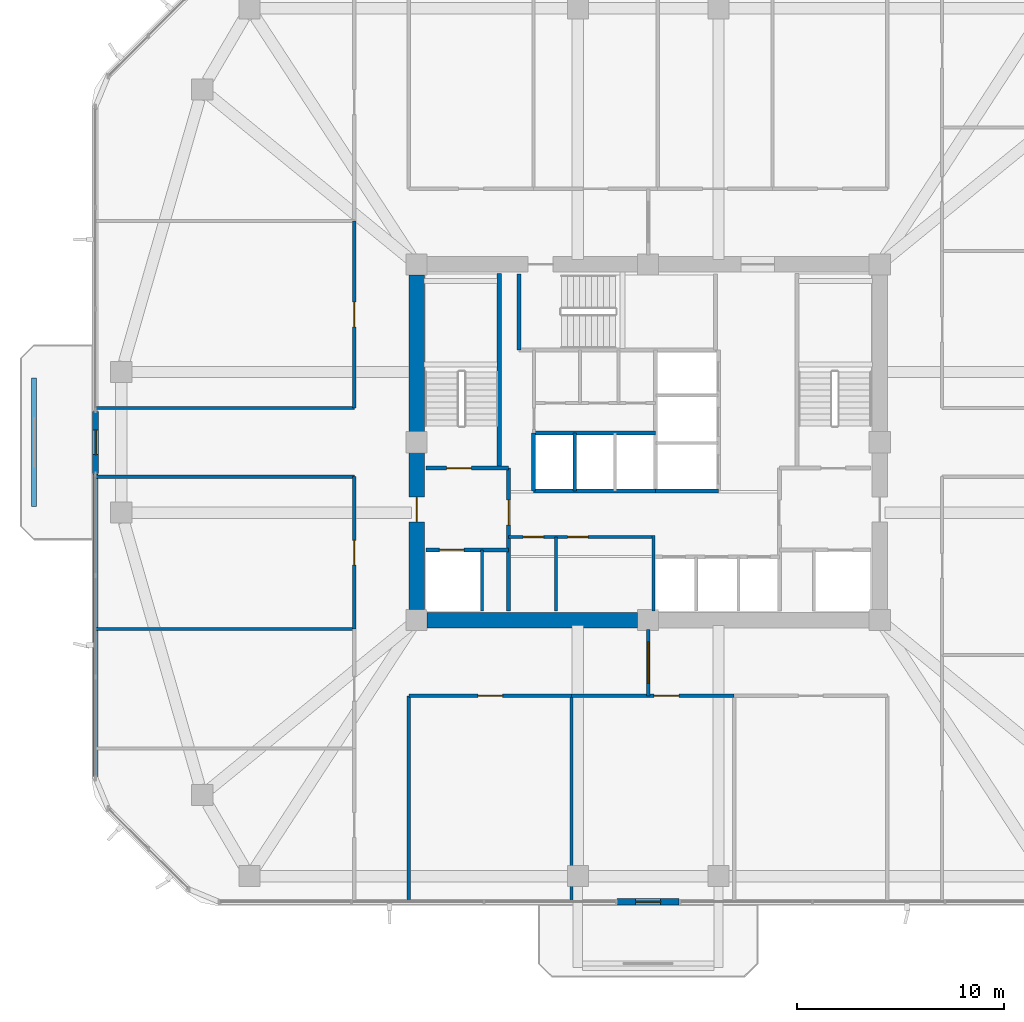
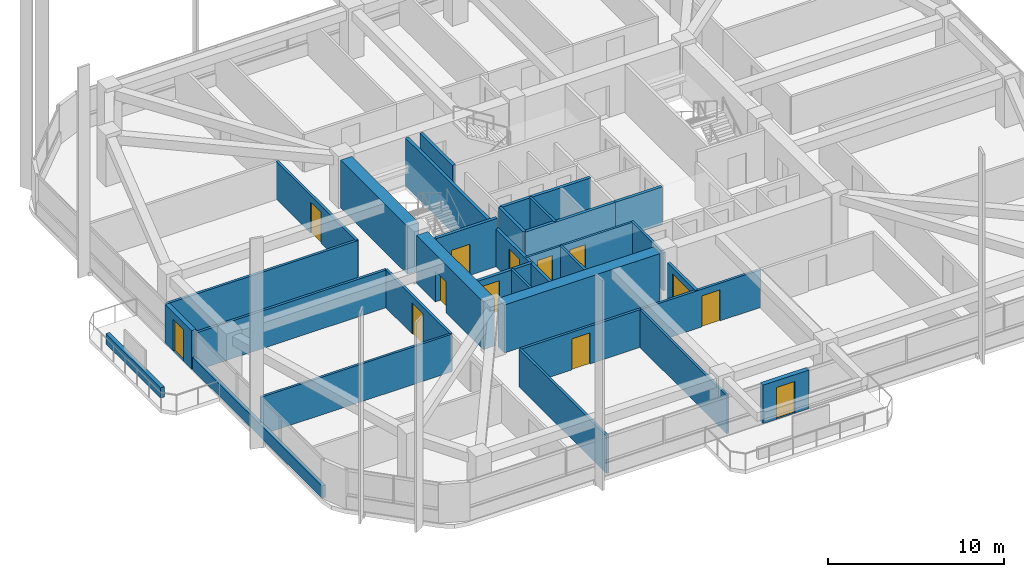
# One storey, part 8 of 15: 31 walls, 13 doors, 13 openings.
"""IFC4 building model written with IfcOpenShell, lengths in metres."""

from ifc_helpers import new_model, si_unit, derived_unit, direction, frame, frame_2d, origin, place, context, subcontext, project, spatial, rectangle, extrude, material, layer, layer_set, type_object, element, fill, save


model = new_model("IFC4")

# Units and contexts
model_context = context("Model", 3, precision=1e-05, world=origin(), true_north=direction((0.0, 1.0)))
body_context = subcontext(model_context, "Body", "Model", "MODEL_VIEW")
ifc_project = project(units=[si_unit("LENGTHUNIT", "METRE"), si_unit("AREAUNIT", "SQUARE_METRE"), si_unit("VOLUMEUNIT", "CUBIC_METRE"), si_unit("PLANEANGLEUNIT", "RADIAN"), si_unit("MASSUNIT", "GRAM", prefix="KILO"), derived_unit("THERMALTRANSMITTANCEUNIT", [(si_unit("POWERUNIT", "WATT"), 1), (si_unit("LENGTHUNIT", "METRE"), -2), (si_unit("THERMODYNAMICTEMPERATUREUNIT", "KELVIN"), -1)])], contexts=[model_context])

# Site, building, storey
site_placement = place(None, origin())
site = spatial("IfcSite", under=ifc_project, at=site_placement, CompositionType="ELEMENT")
building_placement = place(site_placement, origin())
building = spatial("IfcBuilding", under=site, at=building_placement, Name="Koralith Skygarden Medical Center", CompositionType="ELEMENT")
storey_placement = place(building_placement, frame((0.0, 0.0, 84.780029296875)))
storey = spatial("IfcBuildingStorey", under=building, at=storey_placement, Name="L21", CompositionType="ELEMENT", Elevation=84.780029296875)

# Wall, openings, doors
ifc_material_1 = material(Name="Gypsum Board Partition")
ifc_layer_1 = layer(ifc_material_1, 0.14990234375)
ifc_layer_set_1 = layer_set([ifc_layer_1], Name="Gypsum Board Partition")
wall_type_1 = type_object("IfcWallType", Name="Clinical Acoustic Partition 150", PredefinedType="PARTITIONING", material=ifc_layer_set_1)
wall_1_placement = place(storey_placement, frame((30.25, 21.320068359375, 0.0), z_axis=(0.0, 0.0, 1.0), x_axis=(1.0, 0.0, 0.0)))
wall_1 = element("IfcWall", 1, at=wall_1_placement, inside=storey, type_object=wall_type_1, Name="L21 Clinical Acoustic Partition 150 W-CORE-L21-FREED-LR-N", PredefinedType="PARTITIONING", context=body_context, shape_type="SweptSolid", body=[
    extrude(rectangle(XDim=7.0, YDim=0.14990234375, at=frame_2d((3.5, 0.0))), origin(), (0.0, 0.0, 1.0), 2.60986328125),
])
opening_1_placement = place(wall_1_placement, frame((0.699951171875, 0.0, 0.0)))
opening_1 = element("IfcOpeningElement", 2, at=opening_1_placement, cuts=wall_1, Name="Opening D-SUP", PredefinedType="OPENING", context=body_context, shape_type="SweptSolid", body=[
    extrude(rectangle(XDim=1.0, YDim=2.14990234375, at=frame_2d((0.5, 1.074951171875))), frame((0.0, 0.0849609375, 0.0), z_axis=(0.0, -1.0, 0.0), x_axis=(1.0, 0.0, 0.0)), (0.0, 0.0, 1.0), 0.169921875),
])
opening_2_placement = place(wall_1_placement, frame((2.85009765625, 0.0, 0.0)))
opening_2 = element("IfcOpeningElement", 3, at=opening_2_placement, cuts=wall_1, Name="Opening D-SUP", PredefinedType="OPENING", context=body_context, shape_type="SweptSolid", body=[
    extrude(rectangle(XDim=1.0, YDim=2.14990234375, at=frame_2d((0.5, 1.074951171875))), frame((0.0, 0.0849609375, 0.0), z_axis=(0.0, -1.0, 0.0), x_axis=(1.0, 0.0, 0.0)), (0.0, 0.0, 1.0), 0.169921875),
])
ifc_material_2 = material(Name="Aluminium 6063-T6", Category="aluminium")
door_type_1 = type_object("IfcDoorType", Name="Clinical Support Door D-SUP 1000", OperationType="NOTDEFINED", PredefinedType="DOOR", material=ifc_material_2)
door_1_placement = place(opening_1_placement, frame((1.0, 0.0, 0.0), z_axis=(0.0, 0.0, 1.0), x_axis=(-1.0, 0.0, 0.0)))
door_1 = element("IfcDoor", 4, at=door_1_placement, inside=storey, type_object=door_type_1, Name="L21 Medication Preparation Door", OperationType="SINGLE_SWING_LEFT", OverallHeight=2.14990234375, OverallWidth=1.0, PredefinedType="DOOR", context=body_context, shape_type="SweptSolid", body=[
    extrude(rectangle(XDim=1.0, YDim=2.14990234375, at=frame_2d((0.5, 1.074951171875))), frame((0.0, 0.02490234375, 0.0), z_axis=(0.0, -1.0, 0.0), x_axis=(1.0, 0.0, 0.0)), (0.0, 0.0, 1.0), 0.050048828125),
])
fill(opening_1, door_1)
door_2_placement = place(opening_2_placement, frame((1.0, 0.0, 0.0), z_axis=(0.0, 0.0, 1.0), x_axis=(-1.0, 0.0, 0.0)))
door_2 = element("IfcDoor", 5, at=door_2_placement, inside=storey, type_object=door_type_1, Name="L21 Telemetry Room Door", OperationType="SINGLE_SWING_RIGHT", OverallHeight=2.14990234375, OverallWidth=1.0, PredefinedType="DOOR", context=body_context, shape_type="SweptSolid", body=[
    extrude(rectangle(XDim=1.0, YDim=2.14990234375, at=frame_2d((0.5, 1.074951171875))), frame((0.0, 0.02490234375, 0.0), z_axis=(0.0, -1.0, 0.0), x_axis=(1.0, 0.0, 0.0)), (0.0, 0.0, 1.0), 0.050048828125),
])
fill(opening_2, door_2)

# Walls
wall_2_placement = place(storey_placement, frame((32.550048828125, 17.75, 0.0), z_axis=(0.0, 0.0, 1.0), x_axis=(0.0, 1.0, 0.0)))
element("IfcWall", 6, at=wall_2_placement, inside=storey, type_object=wall_type_1, Name="L21 Clinical Acoustic Partition 150 W-CORE-L21-FREED-LR-M", PredefinedType="PARTITIONING", context=body_context, shape_type="SweptSolid", body=[
    extrude(rectangle(XDim=3.570068359375, YDim=0.14990234375, at=frame_2d((1.78515625, 0.0))), origin(), (0.0, 0.0, 1.0), 2.60986328125),
])
wall_3_placement = place(storey_placement, frame((33.301025390625, 13.639892578125, 0.0), z_axis=(0.0, 0.0, 1.0), x_axis=(0.0, -1.0, 0.0)))
element("IfcWall", 7, at=wall_3_placement, inside=storey, type_object=wall_type_1, Name="L21 Clinical Acoustic Partition 150 W-PART-L21-S-01", PredefinedType="PARTITIONING", context=body_context, shape_type="SweptSolid", body=[
    extrude(rectangle(XDim=9.93994140625, YDim=0.14990234375, at=frame_2d((4.969970703125, 0.0))), origin(), (0.0, 0.0, 1.0), 2.60986328125),
])
wall_4_placement = place(storey_placement, frame((22.7900390625, 16.8779296875, 0.0), z_axis=(0.0, 0.0, 1.0), x_axis=(-1.0, 0.0, 0.0)))
element("IfcWall", 8, at=wall_4_placement, inside=storey, type_object=wall_type_1, Name="L21 Clinical Acoustic Partition 150 W-PART-L21-WS-02", PredefinedType="PARTITIONING", context=body_context, shape_type="SweptSolid", body=[
    extrude(rectangle(XDim=12.489990234375, YDim=0.14990234375, at=frame_2d((6.2451171875, 0.0))), origin(), (0.0, 0.0, 1.0), 2.60986328125),
])
ifc_layer_2 = layer(ifc_material_1, 0.1650390625)
ifc_layer_set_2 = layer_set([ifc_layer_2], Name="Gypsum Board Partition")
wall_type_2 = type_object("IfcWallType", Name="Clinical Corridor Partition 165", PredefinedType="PARTITIONING", material=ifc_layer_set_2)
wall_5_placement = place(storey_placement, frame((25.429931640625, 3.699951171875, 0.0), z_axis=(0.0, 0.0, 1.0), x_axis=(0.0, 1.0, 0.0)))
element("IfcWall", 9, at=wall_5_placement, inside=storey, type_object=wall_type_2, Name="L21 Clinical Corridor Partition 165 W-HCOR-L21-SW", PredefinedType="PARTITIONING", context=body_context, shape_type="SweptSolid", body=[
    extrude(rectangle(XDim=9.93994140625, YDim=0.1650390625, at=frame_2d((4.969970703125, 0.0))), origin(), (0.0, 0.0, 1.0), 2.60986328125),
])
for number, where, z_axis, x_axis, name in (
    (10, (10.300048828125, 24.239990234375, 0.0), (0.0, 0.0, 1.0), (1.0, 0.0, 0.0), "L21 Clinical Corridor Partition 165 W-HCOR-L21-EWS-W"),
    (11, (10.300048828125, 27.56005859375, 0.0), (0.0, 0.0, 1.0), (1.0, 0.0, 0.0), "L21 Clinical Corridor Partition 165 W-HCOR-L21-EWN-W"),
):
    element("IfcWall", number, at=place(storey_placement, frame(where, z_axis=z_axis, x_axis=x_axis)), inside=storey, type_object=wall_type_2, Name=name, PredefinedType="PARTITIONING", context=body_context, shape_type="SweptSolid", body=[
        extrude(rectangle(XDim=12.489990234375, YDim=0.1650390625, at=frame_2d((6.2451171875, 0.0))), origin(), (0.0, 0.0, 1.0), 2.60986328125),
    ])

# Wall, opening, door
wall_6_placement = place(storey_placement, frame((25.429931640625, 13.639892578125, 0.0), z_axis=(0.0, 0.0, 1.0), x_axis=(1.0, 0.0, 0.0)))
wall_6 = element("IfcWall", 12, at=wall_6_placement, inside=storey, type_object=wall_type_2, Name="L21 Clinical Corridor Partition 165 W-CORR-L21-S-01", PredefinedType="PARTITIONING", context=body_context, shape_type="SweptSolid", body=[
    extrude(rectangle(XDim=7.87109375, YDim=0.1650390625, at=frame_2d((3.935546875, 0.0))), origin(), (0.0, 0.0, 1.0), 2.60986328125),
])
opening_3_placement = place(wall_6_placement, frame((3.3359375, 0.0, 0.0)))
opening_3 = element("IfcOpeningElement", 13, at=opening_3_placement, cuts=wall_6, Name="Opening D-CLN", PredefinedType="OPENING", context=body_context, shape_type="SweptSolid", body=[
    extrude(rectangle(XDim=1.199951171875, YDim=2.14990234375, at=frame_2d((0.60009765625, 1.074951171875))), frame((0.0, 0.092529296875, 0.0), z_axis=(0.0, -1.0, 0.0), x_axis=(1.0, 0.0, 0.0)), (0.0, 0.0, 1.0), 0.18505859375),
])
door_type_2 = type_object("IfcDoorType", Name="Clinical Corridor Door D-CLN 1200", OperationType="NOTDEFINED", PredefinedType="DOOR", material=ifc_material_2)
door_3_placement = place(opening_3_placement, frame((1.199951171875, 0.0, 0.0), z_axis=(0.0, 0.0, 1.0), x_axis=(-1.0, 0.0, 0.0)))
door_3 = element("IfcDoor", 14, at=door_3_placement, inside=storey, type_object=door_type_2, Name="L21 Physician Consultation Office 05 Door", OperationType="SINGLE_SWING_RIGHT", OverallHeight=2.14990234375, OverallWidth=1.199951171875, PredefinedType="DOOR", context=body_context, shape_type="SweptSolid", body=[
    extrude(rectangle(XDim=1.199951171875, YDim=2.14990234375, at=frame_2d((0.60009765625, 1.074951171875))), frame((0.0, 0.02490234375, 0.0), z_axis=(0.0, -1.0, 0.0), x_axis=(1.0, 0.0, 0.0)), (0.0, 0.0, 1.0), 0.050048828125),
])
fill(opening_3, door_3)

wall_7_placement = place(storey_placement, frame((33.301025390625, 13.639892578125, 0.0), z_axis=(0.0, 0.0, 1.0), x_axis=(1.0, 0.0, 0.0)))
wall_7 = element("IfcWall", 15, at=wall_7_placement, inside=storey, type_object=wall_type_2, Name="L21 Clinical Corridor Partition 165 W-CORR-L21-S-02", PredefinedType="PARTITIONING", context=body_context, shape_type="SweptSolid", body=[
    extrude(rectangle(XDim=7.861083984375, YDim=0.1650390625, at=frame_2d((3.9306640625, 0.0))), origin(), (0.0, 0.0, 1.0), 2.60986328125),
])
opening_4_placement = place(wall_7_placement, frame((3.98095703125, 0.0, 0.0)))
opening_4 = element("IfcOpeningElement", 16, at=opening_4_placement, cuts=wall_7, Name="Opening D-CLN", PredefinedType="OPENING", context=body_context, shape_type="SweptSolid", body=[
    extrude(rectangle(XDim=1.199951171875, YDim=2.14990234375, at=frame_2d((0.60009765625, 1.074951171875))), frame((0.0, 0.092529296875, 0.0), z_axis=(0.0, -1.0, 0.0), x_axis=(1.0, 0.0, 0.0)), (0.0, 0.0, 1.0), 0.18505859375),
])
door_4_placement = place(opening_4_placement, frame((1.199951171875, 0.0, 0.0), z_axis=(0.0, 0.0, 1.0), x_axis=(-1.0, 0.0, 0.0)))
door_4 = element("IfcDoor", 17, at=door_4_placement, inside=storey, type_object=door_type_2, Name="L21 Patient and Family Sky-Garden Day Lounge 06 Door", OperationType="SINGLE_SWING_LEFT", OverallHeight=2.14990234375, OverallWidth=1.199951171875, PredefinedType="DOOR", context=body_context, shape_type="SweptSolid", body=[
    extrude(rectangle(XDim=1.199951171875, YDim=2.14990234375, at=frame_2d((0.60009765625, 1.074951171875))), frame((0.0, 0.02490234375, 0.0), z_axis=(0.0, -1.0, 0.0), x_axis=(1.0, 0.0, 0.0)), (0.0, 0.0, 1.0), 0.050048828125),
])
fill(opening_4, door_4)

wall_8_placement = place(storey_placement, frame((22.7900390625, 16.8779296875, 0.0), z_axis=(0.0, 0.0, 1.0), x_axis=(0.0, 1.0, 0.0)))
wall_8 = element("IfcWall", 18, at=wall_8_placement, inside=storey, type_object=wall_type_2, Name="L21 Clinical Corridor Partition 165 W-CORR-L21-WS-03", PredefinedType="PARTITIONING", context=body_context, shape_type="SweptSolid", body=[
    extrude(rectangle(XDim=7.362060546875, YDim=0.1650390625, at=frame_2d((3.68115234375, 0.0))), origin(), (0.0, 0.0, 1.0), 2.60986328125),
])
opening_5_placement = place(wall_8_placement, frame((3.0810546875, 0.0, 0.0)))
opening_5 = element("IfcOpeningElement", 19, at=opening_5_placement, cuts=wall_8, Name="Opening D-CLN", PredefinedType="OPENING", context=body_context, shape_type="SweptSolid", body=[
    extrude(rectangle(XDim=1.199951171875, YDim=2.14990234375, at=frame_2d((0.60009765625, 1.074951171875))), frame((0.0, 0.092529296875, 0.0), z_axis=(0.0, -1.0, 0.0), x_axis=(1.0, 0.0, 0.0)), (0.0, 0.0, 1.0), 0.18505859375),
])
door_5_placement = place(opening_5_placement, frame((1.199951171875, 0.0, 0.0), z_axis=(0.0, 0.0, 1.0), x_axis=(-1.0, 0.0, 0.0)))
door_5 = element("IfcDoor", 20, at=door_5_placement, inside=storey, type_object=door_type_2, Name="L21 Physician Consultation Office 10 Door", OperationType="SINGLE_SWING_LEFT", OverallHeight=2.14990234375, OverallWidth=1.199951171875, PredefinedType="DOOR", context=body_context, shape_type="SweptSolid", body=[
    extrude(rectangle(XDim=1.199951171875, YDim=2.14990234375, at=frame_2d((0.60009765625, 1.074951171875))), frame((0.0, 0.02490234375, 0.0), z_axis=(0.0, -1.0, 0.0), x_axis=(1.0, 0.0, 0.0)), (0.0, 0.0, 1.0), 0.050048828125),
])
fill(opening_5, door_5)

wall_9_placement = place(storey_placement, frame((22.7900390625, 27.56005859375, 0.0), z_axis=(0.0, 0.0, 1.0), x_axis=(0.0, 1.0, 0.0)))
wall_9 = element("IfcWall", 21, at=wall_9_placement, inside=storey, type_object=wall_type_2, Name="L21 Clinical Corridor Partition 165 W-CORR-L21-WN-01", PredefinedType="PARTITIONING", context=body_context, shape_type="SweptSolid", body=[
    extrude(rectangle(XDim=9.037841796875, YDim=0.1650390625, at=frame_2d((4.51904296875, 0.0))), origin(), (0.0, 0.0, 1.0), 2.60986328125),
])
opening_6_placement = place(wall_9_placement, frame((3.9189453125, 0.0, 0.0)))
opening_6 = element("IfcOpeningElement", 22, at=opening_6_placement, cuts=wall_9, Name="Opening D-CLN", PredefinedType="OPENING", context=body_context, shape_type="SweptSolid", body=[
    extrude(rectangle(XDim=1.199951171875, YDim=2.14990234375, at=frame_2d((0.60009765625, 1.074951171875))), frame((0.0, 0.092529296875, 0.0), z_axis=(0.0, -1.0, 0.0), x_axis=(1.0, 0.0, 0.0)), (0.0, 0.0, 1.0), 0.18505859375),
])
door_6_placement = place(opening_6_placement, frame((1.199951171875, 0.0, 0.0), z_axis=(0.0, 0.0, 1.0), x_axis=(-1.0, 0.0, 0.0)))
door_6 = element("IfcDoor", 23, at=door_6_placement, inside=storey, type_object=door_type_2, Name="L21 Clinical Case Conference Room 11 Door", OperationType="SINGLE_SWING_RIGHT", OverallHeight=2.14990234375, OverallWidth=1.199951171875, PredefinedType="DOOR", context=body_context, shape_type="SweptSolid", body=[
    extrude(rectangle(XDim=1.199951171875, YDim=2.14990234375, at=frame_2d((0.60009765625, 1.074951171875))), frame((0.0, 0.02490234375, 0.0), z_axis=(0.0, -1.0, 0.0), x_axis=(1.0, 0.0, 0.0)), (0.0, 0.0, 1.0), 0.050048828125),
])
fill(opening_6, door_6)

ifc_layer_3 = layer(ifc_material_1, 0.199951171875)
ifc_layer_set_3 = layer_set([ifc_layer_3], Name="Gypsum Board Partition")
wall_type_3 = type_object("IfcWallType", Name="Fire Shaft Wall 200", PredefinedType="SOLIDWALL", material=ifc_layer_set_3)
wall_10_placement = place(storey_placement, frame((26.25, 20.699951171875, 0.0), z_axis=(0.0, 0.0, 1.0), x_axis=(1.0, 0.0, 0.0)))
wall_10 = element("IfcWall", 24, at=wall_10_placement, inside=storey, type_object=wall_type_3, Name="L21 Fire Shaft Wall 200 W-CORE-L21-FF1-N", PredefinedType="SOLIDWALL", context=body_context, shape_type="SweptSolid", body=[
    extrude(rectangle(XDim=4.0, YDim=0.199951171875, at=frame_2d((2.0, 0.0))), origin(), (0.0, 0.0, 1.0), 2.60986328125),
])
opening_7_placement = place(wall_10_placement, frame((0.64990234375, 0.0, 0.0)))
opening_7 = element("IfcOpeningElement", 25, at=opening_7_placement, cuts=wall_10, Name="Opening LD-FF", PredefinedType="OPENING", context=body_context, shape_type="SweptSolid", body=[
    extrude(rectangle(XDim=1.199951171875, YDim=2.14990234375, at=frame_2d((0.60009765625, 1.074951171875))), frame((0.0, 0.10986328125, 0.0), z_axis=(0.0, -1.0, 0.0), x_axis=(1.0, 0.0, 0.0)), (0.0, 0.0, 1.0), 0.219970703125),
])
ifc_material_3 = material(Name="Steel ASTM A500 Grade C", Category="steel")
door_type_3 = type_object("IfcDoorType", Name="Fire Lift Sliding Landing Door LD-FF 1200", OperationType="NOTDEFINED", PredefinedType="DOOR", material=ifc_material_3)
door_7_placement = place(opening_7_placement, origin())
door_7 = element("IfcDoor", 26, at=door_7_placement, inside=storey, type_object=door_type_3, Name="L21 Fire Service Elevator FF1 Landing Door", OperationType="SLIDING_TO_LEFT", OverallHeight=2.14990234375, OverallWidth=1.199951171875, PredefinedType="DOOR", context=body_context, shape_type="SweptSolid", body=[
    extrude(rectangle(XDim=1.199951171875, YDim=2.14990234375, at=frame_2d((0.60009765625, 1.074951171875))), frame((0.0, 0.02490234375, 0.0), z_axis=(0.0, -1.0, 0.0), x_axis=(1.0, 0.0, 0.0)), (0.0, 0.0, 1.0), 0.050048828125),
])
fill(opening_7, door_7)

wall_11_placement = place(storey_placement, frame((30.25, 17.75, 0.0), z_axis=(0.0, 0.0, 1.0), x_axis=(0.0, 1.0, 0.0)))
wall_11 = element("IfcWall", 27, at=wall_11_placement, inside=storey, type_object=wall_type_3, Name="L21 Fire Shaft Wall 200 W-CORE-L21-FSAEW-E", PredefinedType="SOLIDWALL", context=body_context, shape_type="SweptSolid", body=[
    extrude(rectangle(XDim=6.89990234375, YDim=0.199951171875, at=frame_2d((3.449951171875, 0.0))), origin(), (0.0, 0.0, 1.0), 2.60986328125),
])
opening_8_placement = place(wall_11_placement, frame((4.14990234375, 0.0, 0.0)))
opening_8 = element("IfcOpeningElement", 28, at=opening_8_placement, cuts=wall_11, Name="Opening D-ST60", PredefinedType="OPENING", context=body_context, shape_type="SweptSolid", body=[
    extrude(rectangle(XDim=1.199951171875, YDim=2.14990234375, at=frame_2d((0.60009765625, 1.074951171875))), frame((0.0, 0.10986328125, 0.0), z_axis=(0.0, -1.0, 0.0), x_axis=(1.0, 0.0, 0.0)), (0.0, 0.0, 1.0), 0.219970703125),
])
door_type_4 = type_object("IfcDoorType", Name="Smokeproof Stair Fire Door FD60S 1200", OperationType="NOTDEFINED", PredefinedType="DOOR", material=ifc_material_3)
door_8_placement = place(opening_8_placement, origin())
door_8 = element("IfcDoor", 29, at=door_8_placement, inside=storey, type_object=door_type_4, Name="L21 West Firefighting Lobby Inner Fire Door", OperationType="SINGLE_SWING_LEFT", OverallHeight=2.14990234375, OverallWidth=1.199951171875, PredefinedType="DOOR", context=body_context, shape_type="SweptSolid", body=[
    extrude(rectangle(XDim=1.199951171875, YDim=2.14990234375, at=frame_2d((0.60009765625, 1.074951171875))), frame((0.0, 0.02490234375, 0.0), z_axis=(0.0, -1.0, 0.0), x_axis=(1.0, 0.0, 0.0)), (0.0, 0.0, 1.0), 0.050048828125),
])
fill(opening_8, door_8)

# Walls
for number, where, z_axis, x_axis, name in (
    (30, (31.449951171875, 23.5400390625, 0.0), (0.0, 0.0, 1.0), (1.0, 0.0, 0.0), "L21 Fire Shaft Wall 200 W-CORE-L21-PH-S"),
    (31, (31.449951171875, 26.35009765625, 0.0), (0.0, 0.0, 1.0), (1.0, 0.0, 0.0), "L21 Fire Shaft Wall 200 W-CORE-L21-PH-N"),
):
    element("IfcWall", number, at=place(storey_placement, frame(where, z_axis=z_axis, x_axis=x_axis)), inside=storey, type_object=wall_type_3, Name=name, PredefinedType="SOLIDWALL", context=body_context, shape_type="SweptSolid", body=[
        extrude(rectangle(XDim=5.900146484375, YDim=0.199951171875, at=frame_2d((2.9501953125, 0.0))), origin(), (0.0, 0.0, 1.0), 2.60986328125),
    ])
wall_12_placement = place(storey_placement, frame((31.449951171875, 23.5400390625, 0.0), z_axis=(0.0, 0.0, 1.0), x_axis=(0.0, 1.0, 0.0)))
element("IfcWall", 32, at=wall_12_placement, inside=storey, type_object=wall_type_3, Name="L21 Fire Shaft Wall 200 W-CORE-L21-PH-W", PredefinedType="SOLIDWALL", context=body_context, shape_type="SweptSolid", body=[
    extrude(rectangle(XDim=2.81005859375, YDim=0.199951171875, at=frame_2d((1.405029296875, 0.0))), origin(), (0.0, 0.0, 1.0), 2.60986328125),
])
wall_13_placement = place(storey_placement, frame((37.35009765625, 23.5400390625, 0.0), z_axis=(0.0, 0.0, 1.0), x_axis=(1.0, 0.0, 0.0)))
element("IfcWall", 33, at=wall_13_placement, inside=storey, type_object=wall_type_3, Name="L21 Fire Shaft Wall 200 W-CORE-L21-SV-S", PredefinedType="SOLIDWALL", context=body_context, shape_type="SweptSolid", body=[
    extrude(rectangle(XDim=3.0498046875, YDim=0.199951171875, at=frame_2d((1.52490234375, 0.0))), origin(), (0.0, 0.0, 1.0), 2.60986328125),
])

# Wall, opening, door
ifc_layer_4 = layer(ifc_material_1, 0.179931640625)
ifc_layer_set_4 = layer_set([ifc_layer_4], Name="Gypsum Board Partition")
wall_type_4 = type_object("IfcWallType", Name="Group I-2 Smoke Barrier Wall 180", PredefinedType="PARTITIONING", material=ifc_layer_set_4)
wall_14_placement = place(storey_placement, frame((37.0, 13.639892578125, 0.0), z_axis=(0.0, 0.0, 1.0), x_axis=(0.0, 1.0, 0.0)))
wall_14 = element("IfcWall", 34, at=wall_14_placement, inside=storey, type_object=wall_type_4, Name="L21 Group I-2 Smoke Barrier Wall 180 W-SMK-L21-S", PredefinedType="PARTITIONING", context=body_context, shape_type="SweptSolid", body=[
    extrude(rectangle(XDim=3.210205078125, YDim=0.179931640625, at=frame_2d((1.60498046875, 0.0))), origin(), (0.0, 0.0, 1.0), 2.60986328125),
])
opening_9_placement = place(wall_14_placement, frame((0.60498046875, 0.0, 0.0)))
opening_9 = element("IfcOpeningElement", 35, at=opening_9_placement, cuts=wall_14, Name="Opening D-SMK", PredefinedType="OPENING", context=body_context, shape_type="SweptSolid", body=[
    extrude(rectangle(XDim=2.0, YDim=2.199951171875, at=frame_2d((1.0, 1.10009765625))), frame((0.0, 0.099853515625, 0.0), z_axis=(0.0, -1.0, 0.0), x_axis=(1.0, 0.0, 0.0)), (0.0, 0.0, 1.0), 0.199951171875),
])
door_type_5 = type_object("IfcDoorType", Name="Cross-Corridor Double Smoke Door FD60S 2000", OperationType="NOTDEFINED", PredefinedType="DOOR", material=ifc_material_3)
door_9_placement = place(opening_9_placement, frame((2.0, 0.0, 0.0), z_axis=(0.0, 0.0, 1.0), x_axis=(-1.0, 0.0, 0.0)))
door_9 = element("IfcDoor", 36, at=door_9_placement, inside=storey, type_object=door_type_5, Name="L21 S Smoke Compartment Cross-Corridor Door", OperationType="DOUBLE_DOOR_SINGLE_SWING", OverallHeight=2.199951171875, OverallWidth=2.0, PredefinedType="DOOR", context=body_context, shape_type="SweptSolid", body=[
    extrude(rectangle(XDim=2.0, YDim=2.199951171875, at=frame_2d((1.0, 1.10009765625))), frame((0.0, 0.02490234375, 0.0), z_axis=(0.0, -1.0, 0.0), x_axis=(1.0, 0.0, 0.0)), (0.0, 0.0, 1.0), 0.050048828125),
])
fill(opening_9, door_9)

# Walls
ifc_material_4 = material(Name="Warm Oolitic Limestone Cladding", Category="masonry")
ifc_layer_5 = layer(ifc_material_4, 0.239990234375)
ifc_layer_set_5 = layer_set([ifc_layer_5], Name="Warm Oolitic Limestone Cladding")
wall_type_5 = type_object("IfcWallType", Name="Limestone Spandrel Sill Backup Wall 240", PredefinedType="SOLIDWALL", material=ifc_layer_set_5)
wall_15_placement = place(storey_placement, frame((10.280029296875, 24.361083984375, 0.0), z_axis=(0.0, 0.0, 1.0), x_axis=(0.0, -1.0, 0.0)))
element("IfcWall", 37, at=wall_15_placement, inside=storey, type_object=wall_type_5, Name="L21 Sill Spandrel W-R", PredefinedType="SOLIDWALL", context=body_context, shape_type="SweptSolid", body=[
    extrude(rectangle(XDim=14.7060546875, YDim=0.239990234375, at=frame_2d((7.35302734375, 0.0))), origin(), (0.0, 0.0, 1.0), 0.849853515625),
])
ifc_material_5 = material(Name="Concrete C70/85", Category="concrete")
ifc_layer_6 = layer(ifc_material_5, 0.75)
ifc_layer_set_6 = layer_set([ifc_layer_6], Name="Concrete C70/85")
wall_type_6 = type_object("IfcWallType", Name="Mid Core Shear Wall 750", PredefinedType="SHEAR", material=ifc_layer_set_6)
wall_16_placement = place(storey_placement, frame((26.304931640625, 17.300048828125, 0.0), z_axis=(0.0, 0.0, 1.0), x_axis=(1.0, 0.0, 0.0)))
element("IfcWall", 38, at=wall_16_placement, inside=storey, type_object=wall_type_6, Name="L21 Core Shear Wall Segment 1", PredefinedType="SHEAR", context=body_context, shape_type="SweptSolid", body=[
    extrude(rectangle(XDim=10.190185546875, YDim=0.75, at=frame_2d((5.09521484375, 0.0))), origin(), (0.0, 0.0, 1.0), 3.320068359375),
])
wall_17_placement = place(storey_placement, frame((25.800048828125, 33.9951171875, 0.0), z_axis=(0.0, 0.0, 1.0), x_axis=(0.0, -1.0, 0.0)))
element("IfcWall", 39, at=wall_17_placement, inside=storey, type_object=wall_type_6, Name="L21 Core Shear Wall Segment 7", PredefinedType="SHEAR", context=body_context, shape_type="SweptSolid", body=[
    extrude(rectangle(XDim=7.590087890625, YDim=0.75, at=frame_2d((3.794921875, 0.0))), origin(), (0.0, 0.0, 1.0), 3.320068359375),
])

# Wall, opening, door
wall_18_placement = place(storey_placement, frame((25.800048828125, 25.39501953125, 0.0), z_axis=(0.0, 0.0, 1.0), x_axis=(0.0, -1.0, 0.0)))
wall_18 = element("IfcWall", 40, at=wall_18_placement, inside=storey, type_object=wall_type_6, Name="L21 Core Shear Wall Segment 8", PredefinedType="SHEAR", context=body_context, shape_type="SweptSolid", body=[
    extrude(rectangle(XDim=7.590087890625, YDim=0.75, at=frame_2d((3.794921875, 0.0))), origin(), (0.0, 0.0, 1.0), 3.320068359375),
])
opening_10_placement = place(wall_18_placement, frame((2.14501953125, 0.0, 0.0)))
opening_10 = element("IfcOpeningElement", 41, at=opening_10_placement, cuts=wall_18, Name="Opening D-ST60", PredefinedType="OPENING", context=body_context, shape_type="SweptSolid", body=[
    extrude(rectangle(XDim=1.199951171875, YDim=2.14990234375, at=frame_2d((0.60009765625, 1.074951171875))), frame((0.0, 0.385009765625, 0.0), z_axis=(0.0, -1.0, 0.0), x_axis=(1.0, 0.0, 0.0)), (0.0, 0.0, 1.0), 0.77001953125),
])
door_10_placement = place(opening_10_placement, frame((1.199951171875, 0.0, 0.0), z_axis=(0.0, 0.0, 1.0), x_axis=(-1.0, 0.0, 0.0)))
door_10 = element("IfcDoor", 42, at=door_10_placement, inside=storey, type_object=door_type_4, Name="L21 West Corridor to Firefighting Lobby Door", OperationType="SINGLE_SWING_LEFT", OverallHeight=2.14990234375, OverallWidth=1.199951171875, PredefinedType="DOOR", context=body_context, shape_type="SweptSolid", body=[
    extrude(rectangle(XDim=1.199951171875, YDim=2.14990234375, at=frame_2d((0.60009765625, 1.074951171875))), frame((0.0, 0.02490234375, 0.0), z_axis=(0.0, -1.0, 0.0), x_axis=(1.0, 0.0, 0.0)), (0.0, 0.0, 1.0), 0.050048828125),
])
fill(opening_10, door_10)

ifc_layer_7 = layer(ifc_material_4, 0.300048828125)
ifc_layer_set_7 = layer_set([ifc_layer_7], Name="Warm Oolitic Limestone Cladding")
wall_type_7 = type_object("IfcWallType", Name="Oolitic Limestone Insulated Facade Wall 300", PredefinedType="SOLIDWALL", material=ifc_layer_set_7)
wall_19_placement = place(storey_placement, frame((35.4990234375, 3.679931640625, 0.0), z_axis=(0.0, 0.0, 1.0), x_axis=(1.0, 0.0, 0.0)))
wall_19 = element("IfcWall", 43, at=wall_19_placement, inside=storey, type_object=wall_type_7, Name="L21 Terrace Portal Wall S", PredefinedType="SOLIDWALL", context=body_context, shape_type="SweptSolid", body=[
    extrude(rectangle(XDim=3.0, YDim=0.300048828125, at=frame_2d((1.5, 0.0))), origin(), (0.0, 0.0, 1.0), 2.669921875),
])
opening_11_placement = place(wall_19_placement, frame((0.89990234375, 0.0, 0.0)))
opening_11 = element("IfcOpeningElement", 44, at=opening_11_placement, cuts=wall_19, Name="Opening D-BAL", PredefinedType="OPENING", context=body_context, shape_type="SweptSolid", body=[
    extrude(rectangle(XDim=1.199951171875, YDim=2.199951171875, at=frame_2d((0.60009765625, 1.10009765625))), frame((0.0, 0.159912109375, 0.0), z_axis=(0.0, -1.0, 0.0), x_axis=(1.0, 0.0, 0.0)), (0.0, 0.0, 1.0), 0.320068359375),
])
door_type_6 = type_object("IfcDoorType", Name="Planted Balcony Glazed Terrace Door D-BAL 1200", OperationType="NOTDEFINED", PredefinedType="DOOR", material=ifc_material_2)
door_11_placement = place(opening_11_placement, origin())
door_11 = element("IfcDoor", 45, at=door_11_placement, inside=storey, type_object=door_type_6, Name="L21 S Outdoor Terrace Access Door", OperationType="SINGLE_SWING_RIGHT", OverallHeight=2.199951171875, OverallWidth=1.199951171875, PredefinedType="DOOR", context=body_context, shape_type="SweptSolid", body=[
    extrude(rectangle(XDim=1.199951171875, YDim=2.199951171875, at=frame_2d((0.60009765625, 1.10009765625))), frame((0.0, 0.02490234375, 0.0), z_axis=(0.0, -1.0, 0.0), x_axis=(1.0, 0.0, 0.0)), (0.0, 0.0, 1.0), 0.050048828125),
])
fill(opening_11, door_11)

wall_20_placement = place(storey_placement, frame((10.280029296875, 27.40087890625, 0.0), z_axis=(0.0, 0.0, 1.0), x_axis=(0.0, -1.0, 0.0)))
wall_20 = element("IfcWall", 46, at=wall_20_placement, inside=storey, type_object=wall_type_7, Name="L21 Terrace Portal Wall W", PredefinedType="SOLIDWALL", context=body_context, shape_type="SweptSolid", body=[
    extrude(rectangle(XDim=3.0, YDim=0.300048828125, at=frame_2d((1.5, 0.0))), origin(), (0.0, 0.0, 1.0), 2.669921875),
])
opening_12_placement = place(wall_20_placement, frame((0.89990234375, 0.0, 0.0)))
opening_12 = element("IfcOpeningElement", 47, at=opening_12_placement, cuts=wall_20, Name="Opening D-BAL", PredefinedType="OPENING", context=body_context, shape_type="SweptSolid", body=[
    extrude(rectangle(XDim=1.199951171875, YDim=2.199951171875, at=frame_2d((0.60009765625, 1.10009765625))), frame((0.0, 0.159912109375, 0.0), z_axis=(0.0, -1.0, 0.0), x_axis=(1.0, 0.0, 0.0)), (0.0, 0.0, 1.0), 0.320068359375),
])
door_12_placement = place(opening_12_placement, origin())
door_12 = element("IfcDoor", 48, at=door_12_placement, inside=storey, type_object=door_type_6, Name="L21 W Outdoor Terrace Access Door", OperationType="SINGLE_SWING_RIGHT", OverallHeight=2.199951171875, OverallWidth=1.199951171875, PredefinedType="DOOR", context=body_context, shape_type="SweptSolid", body=[
    extrude(rectangle(XDim=1.199951171875, YDim=2.199951171875, at=frame_2d((0.60009765625, 1.10009765625))), frame((0.0, 0.02490234375, 0.0), z_axis=(0.0, -1.0, 0.0), x_axis=(1.0, 0.0, 0.0)), (0.0, 0.0, 1.0), 0.050048828125),
])
fill(opening_12, door_12)

# Walls
ifc_layer_8 = layer(ifc_material_1, 0.14990234375)
ifc_layer_set_8 = layer_set([ifc_layer_8], Name="Gypsum Board Partition")
wall_type_8 = type_object("IfcWallType", Name="Shaft Partition Wall 150", PredefinedType="PARTITIONING", material=ifc_layer_set_8)
wall_21_placement = place(storey_placement, frame((28.969970703125, 17.75, 0.0), z_axis=(0.0, 0.0, 1.0), x_axis=(0.0, 1.0, 0.0)))
element("IfcWall", 49, at=wall_21_placement, inside=storey, type_object=wall_type_8, Name="L21 Shaft Partition Wall 150 W-CORE-L21-RSRW-DIV", PredefinedType="PARTITIONING", context=body_context, shape_type="SweptSolid", body=[
    extrude(rectangle(XDim=2.949951171875, YDim=0.14990234375, at=frame_2d((1.47509765625, 0.0))), origin(), (0.0, 0.0, 1.0), 2.60986328125),
])
wall_22_placement = place(storey_placement, frame((37.25, 17.75, 0.0), z_axis=(0.0, 0.0, 1.0), x_axis=(0.0, 1.0, 0.0)))
element("IfcWall", 50, at=wall_22_placement, inside=storey, type_object=wall_type_8, Name="L21 Shaft Partition Wall 150 W-CORE-L21-PL-PM-SEP", PredefinedType="PARTITIONING", context=body_context, shape_type="SweptSolid", body=[
    extrude(rectangle(XDim=3.64990234375, YDim=0.14990234375, at=frame_2d((1.824951171875, 0.0))), origin(), (0.0, 0.0, 1.0), 2.60986328125),
])
wall_23_placement = place(storey_placement, frame((33.449951171875, 23.5400390625, 0.0), z_axis=(0.0, 0.0, 1.0), x_axis=(0.0, 1.0, 0.0)))
element("IfcWall", 51, at=wall_23_placement, inside=storey, type_object=wall_type_8, Name="L21 Shaft Partition Wall 150 W-CORE-L21-PH-D1", PredefinedType="PARTITIONING", context=body_context, shape_type="SweptSolid", body=[
    extrude(rectangle(XDim=2.81005859375, YDim=0.14990234375, at=frame_2d((1.405029296875, 0.0))), origin(), (0.0, 0.0, 1.0), 2.60986328125),
])
ifc_material_6 = material(Name="Precast concrete C40/50", Category="concrete")
ifc_layer_9 = layer(ifc_material_6, 0.25)
ifc_layer_set_9 = layer_set([ifc_layer_9], Name="Precast concrete C40/50")
wall_type_9 = type_object("IfcWallType", Name="Structural Concrete Balcony Planter Kerb 250", PredefinedType="PARAPET", material=ifc_layer_set_9)
wall_24_placement = place(storey_placement, frame((7.300048828125, 22.800048828125, 0.0), z_axis=(0.0, 0.0, 1.0), x_axis=(0.0, 1.0, 0.0)))
element("IfcWall", 52, at=wall_24_placement, inside=storey, type_object=wall_type_9, Name="L21 W Structural Tree PLANTER Box", PredefinedType="PARAPET", context=body_context, shape_type="SweptSolid", body=[
    extrude(rectangle(XDim=6.199951171875, YDim=0.25, at=frame_2d((3.10009765625, 0.0))), origin(), (0.0, 0.0, 1.0), 0.719970703125),
])
ifc_material_7 = material(Name="Concrete C45/55", Category="concrete")
ifc_layer_10 = layer(ifc_material_7, 0.199951171875)
ifc_layer_set_10 = layer_set([ifc_layer_10], Name="Concrete C45/55")
wall_type_10 = type_object("IfcWallType", Name="Structural Stair Shaft Wall 200", PredefinedType="SHEAR", material=ifc_layer_set_10)
wall_25_placement = place(storey_placement, frame((29.800048828125, 24.64990234375, 0.0), z_axis=(0.0, 0.0, 1.0), x_axis=(0.0, 1.0, 0.0)))
element("IfcWall", 53, at=wall_25_placement, inside=storey, type_object=wall_type_10, Name="L21 Structural Stair Shaft Wall 200 W-CORE-L21-ST1-E", PredefinedType="SHEAR", context=body_context, shape_type="SweptSolid", body=[
    extrude(rectangle(XDim=9.400146484375, YDim=0.199951171875, at=frame_2d((4.7001953125, 0.0))), origin(), (0.0, 0.0, 1.0), 3.320068359375),
])

# Wall, opening, door
wall_26_placement = place(storey_placement, frame((26.25, 24.64990234375, 0.0), z_axis=(0.0, 0.0, 1.0), x_axis=(1.0, 0.0, 0.0)))
wall_26 = element("IfcWall", 54, at=wall_26_placement, inside=storey, type_object=wall_type_10, Name="L21 Structural Stair Shaft Wall 200 W-CORE-L21-ST1-S", PredefinedType="SHEAR", context=body_context, shape_type="SweptSolid", body=[
    extrude(rectangle(XDim=4.0, YDim=0.199951171875, at=frame_2d((2.0, 0.0))), origin(), (0.0, 0.0, 1.0), 3.320068359375),
])
opening_13_placement = place(wall_26_placement, frame((1.0, 0.0, 0.0)))
opening_13 = element("IfcOpeningElement", 55, at=opening_13_placement, cuts=wall_26, Name="Opening D-ST60", PredefinedType="OPENING", context=body_context, shape_type="SweptSolid", body=[
    extrude(rectangle(XDim=1.199951171875, YDim=2.14990234375, at=frame_2d((0.60009765625, 1.074951171875))), frame((0.0, 0.10986328125, 0.0), z_axis=(0.0, -1.0, 0.0), x_axis=(1.0, 0.0, 0.0)), (0.0, 0.0, 1.0), 0.219970703125),
])
door_13_placement = place(opening_13_placement, origin())
door_13 = element("IfcDoor", 56, at=door_13_placement, inside=storey, type_object=door_type_4, Name="L21 Exit Stair ST1 Fire Door", OperationType="SINGLE_SWING_LEFT", OverallHeight=2.14990234375, OverallWidth=1.199951171875, PredefinedType="DOOR", context=body_context, shape_type="SweptSolid", body=[
    extrude(rectangle(XDim=1.199951171875, YDim=2.14990234375, at=frame_2d((0.60009765625, 1.074951171875))), frame((0.0, 0.02490234375, 0.0), z_axis=(0.0, -1.0, 0.0), x_axis=(1.0, 0.0, 0.0)), (0.0, 0.0, 1.0), 0.050048828125),
])
fill(opening_13, door_13)

# Wall
wall_27_placement = place(storey_placement, frame((30.75, 30.360107421875, 0.0), z_axis=(0.0, 0.0, 1.0), x_axis=(0.0, 1.0, 0.0)))
element("IfcWall", 57, at=wall_27_placement, inside=storey, type_object=wall_type_10, Name="L21 Structural Stair Shaft Wall 200 W-CORE-L21-ST3-W", PredefinedType="SHEAR", context=body_context, shape_type="SweptSolid", body=[
    extrude(rectangle(XDim=3.68994140625, YDim=0.199951171875, at=frame_2d((1.844970703125, 0.0))), origin(), (0.0, 0.0, 1.0), 3.320068359375),
])

save(model, "model.ifc")
